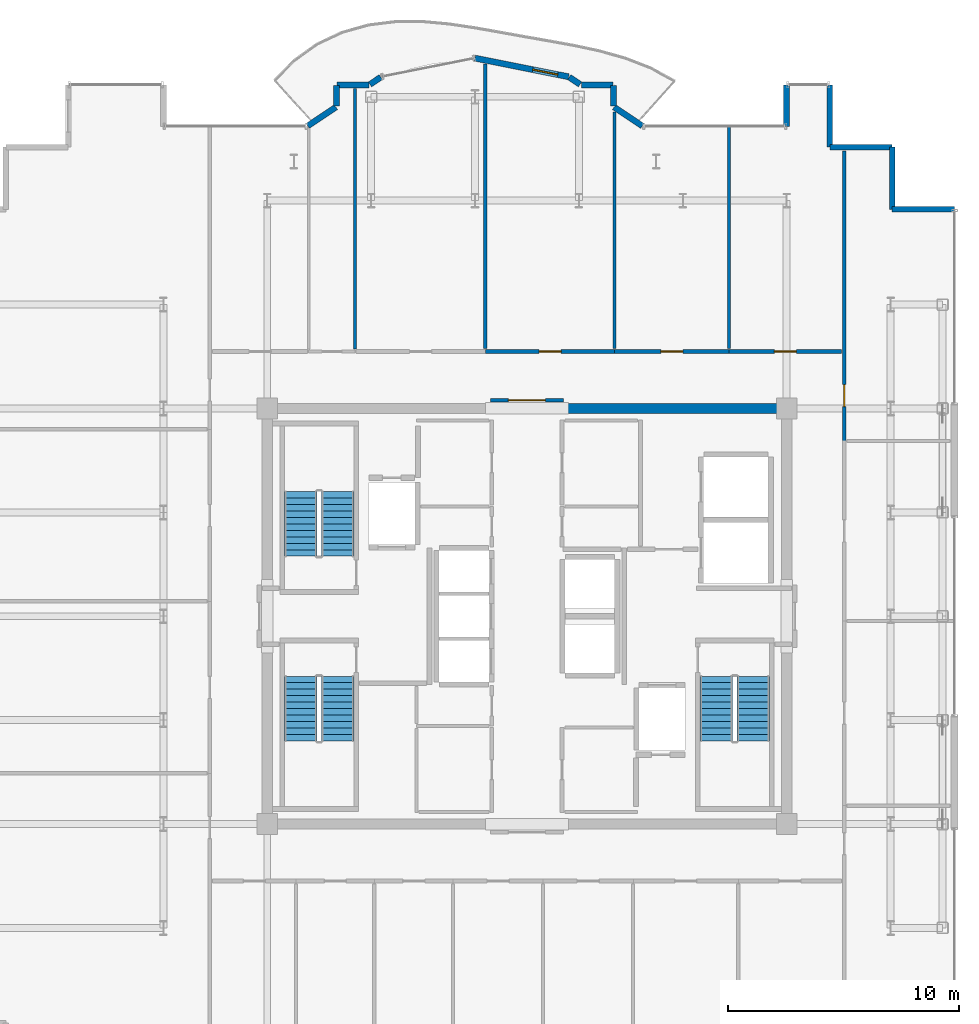
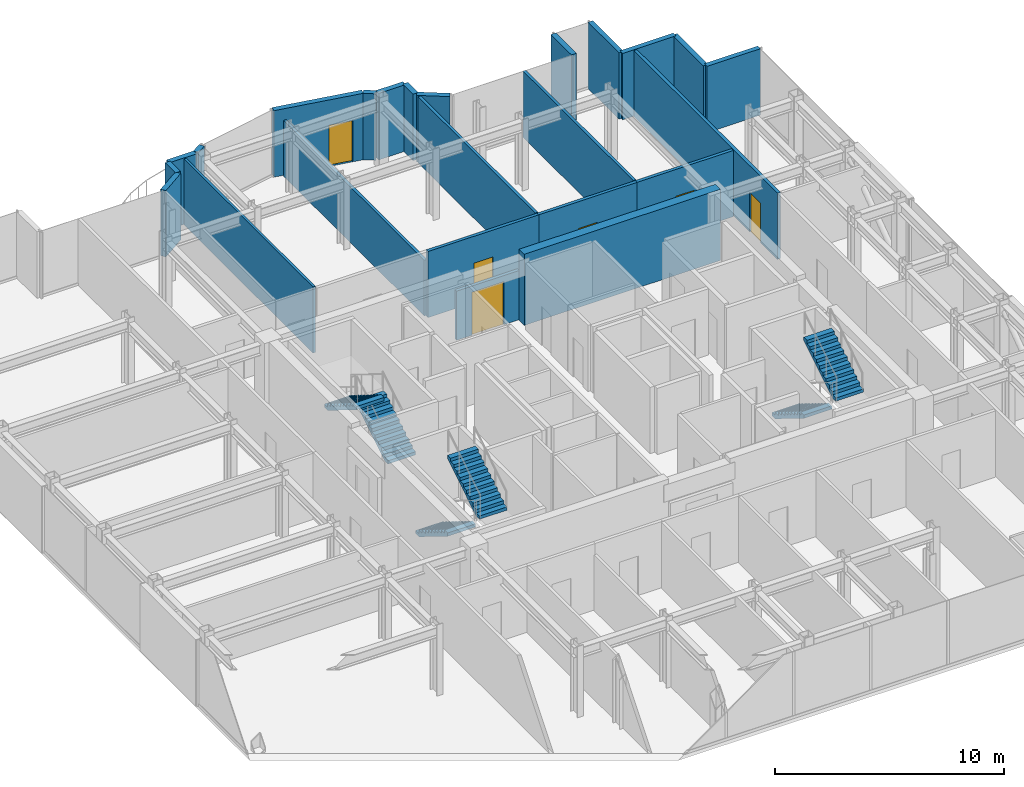
# One storey, part 15 of 16: 24 walls, 6 doors, 6 stair flights, 6 openings, 3 elements without a shape of their own.
"""IFC4 building model written with IfcOpenShell, lengths in metres."""

from ifc_helpers import new_model, si_unit, direction, frame, frame_2d, origin, place, context, subcontext, project, spatial, polyline, rectangle, outline, extrude, source, transform, mapped, material, layer, layer_set, type_object, element, fill, aggregate, save


model = new_model("IFC4")

# Units and contexts
model_context = context("Model", 3, precision=1e-05, world=origin(), true_north=direction((0.0, 1.0)))
body_context = subcontext(model_context, "Body", "Model", "MODEL_VIEW")
ifc_project = project(units=[si_unit("LENGTHUNIT", "METRE"), si_unit("AREAUNIT", "SQUARE_METRE"), si_unit("VOLUMEUNIT", "CUBIC_METRE"), si_unit("PLANEANGLEUNIT", "RADIAN"), si_unit("MASSUNIT", "GRAM", prefix="KILO")], contexts=[model_context])

# Site, building, storey
site_placement = place(None, origin())
site = spatial("IfcSite", under=ifc_project, at=site_placement, CompositionType="ELEMENT")
building_placement = place(site_placement, origin())
building = spatial("IfcBuilding", under=site, at=building_placement, Name="Nefas-Gora Pilgrimage Tower", CompositionType="ELEMENT")
storey_placement = place(building_placement, frame((0.0, 0.0, 310.199951171875)))
storey = spatial("IfcBuildingStorey", under=building, at=storey_placement, Name="L78", CompositionType="ELEMENT", Elevation=310.199951171875)

# Walls
ifc_material_1 = material(Name="Concrete C50/60", Category="concrete")
ifc_layer_1 = layer(ifc_material_1, 0.449951171875)
ifc_layer_set_1 = layer_set([ifc_layer_1], Name="Concrete C50/60")
wall_type_1 = type_object("IfcWallType", Name="SW-CORE-450", PredefinedType="SHEAR", material=ifc_layer_set_1)
shared_shape_1 = source(origin(), body_context, "Body", "SweptSolid", [
    extrude(rectangle(XDim=9.925048828125, YDim=0.449951171875, at=frame_2d((4.96240234375, 0.0))), origin(), (0.0, 0.0, 1.0), 3.800048828125),
])
wall_1_placement = place(storey_placement, frame((1.550048828125, 9.0, 0.0), z_axis=(0.0, 0.0, 1.0), x_axis=(1.0, 0.0, 0.0)))
element("IfcWall", 1, at=wall_1_placement, inside=storey, type_object=wall_type_1, Name="L78 Core Shear Wall N-East", PredefinedType="SHEAR", context=body_context, shape_type="MappedRepresentation", body=[
    mapped(shared_shape_1, transform((0.0, 0.0, 0.0), x_axis=(1.0, 0.0, 0.0), y_axis=(0.0, 1.0, 0.0), z_axis=(0.0, 0.0, 1.0), scale=1.0)),
])
ifc_material_2 = material(Name="Precast concrete C40/50", Category="concrete")
ifc_layer_2 = layer(ifc_material_2, 0.260009765625)
ifc_layer_set_2 = layer_set([ifc_layer_2], Name="Precast concrete C40/50")
wall_type_2 = type_object("IfcWallType", Name="EW-PORTAL-260", PredefinedType="SOLIDWALL", material=ifc_layer_set_2)
shared_shape_2 = source(origin(), body_context, "Body", "SweptSolid", [
    extrude(rectangle(XDim=1.800048828125, YDim=0.260009765625, at=frame_2d((0.89990234375, 0.0))), origin(), (0.0, 0.0, 1.0), 3.550048828125),
])
wall_2_placement = place(storey_placement, frame((11.25, 23.02001953125, 0.0), z_axis=(0.0, 0.0, 1.0), x_axis=(0.0, -1.0, 0.0)))
element("IfcWall", 2, at=wall_2_placement, inside=storey, type_object=wall_type_2, Name="L78 Lobe Shoulder Precast Spandrel Pier 10", PredefinedType="SOLIDWALL", context=body_context, shape_type="MappedRepresentation", body=[
    mapped(shared_shape_2, transform((0.0, 0.0, 0.0), x_axis=(1.0, 0.0, 0.0), y_axis=(0.0, 1.0, 0.0), z_axis=(0.0, 0.0, 1.0), scale=1.0)),
])
ifc_material_3 = material(Name="Precast concrete C45/55", Category="concrete")
ifc_layer_3 = layer(ifc_material_3, 0.239990234375)
ifc_layer_set_3 = layer_set([ifc_layer_3], Name="Precast concrete C45/55")
wall_type_3 = type_object("IfcWallType", Name="EW-SERR-240", PredefinedType="SHEAR", material=ifc_layer_set_3)
shared_shape_3 = source(origin(), body_context, "Body", "SweptSolid", [
    extrude(rectangle(XDim=2.699951171875, YDim=0.239990234375, at=frame_2d((1.35009765625, 0.0))), origin(), (0.0, 0.0, 1.0), 3.550048828125),
])
for number, where, z_axis, x_axis, name in (
    (3, (18.52001953125, 17.6201171875, 0.0), (0.0, 0.0, 1.0), (-1.0, 0.0, 0.0), "L78 Serrated Corner Shear Pier Wall 6"),
    (4, (15.820068359375, 17.6201171875, 0.0), (0.0, 0.0, 1.0), (0.0, 1.0, 0.0), "L78 Serrated Corner Shear Pier Wall 7"),
    (5, (15.820068359375, 20.320068359375, 0.0), (0.0, 0.0, 1.0), (-1.0, 0.0, 0.0), "L78 Serrated Corner Shear Pier Wall 8"),
    (6, (13.1201171875, 20.320068359375, 0.0), (0.0, 0.0, 1.0), (0.0, 1.0, 0.0), "L78 Serrated Corner Shear Pier Wall 9"),
):
    element("IfcWall", number, at=place(storey_placement, frame(where, z_axis=z_axis, x_axis=x_axis)), inside=storey, type_object=wall_type_3, Name=name, PredefinedType="SHEAR", context=body_context, shape_type="MappedRepresentation", body=[
        mapped(shared_shape_3, transform((0.0, 0.0, 0.0), x_axis=(1.0, 0.0, 0.0), y_axis=(0.0, 1.0, 0.0), z_axis=(0.0, 0.0, 1.0), scale=1.0)),
    ])
shared_shape_4 = source(origin(), body_context, "Body", "SweptSolid", [
    extrude(rectangle(XDim=1.468994140625, YDim=0.260009765625, at=frame_2d((0.734375, 0.0))), origin(), (0.0, 0.0, 1.0), 3.550048828125),
])
for number, where, z_axis, x_axis, name in (
    (7, (4.99462890625, 21.235595703125, 0.0), (0.0, 0.0, 1.0), (-0.831461760506, 0.555581983884, 0.0), "L78 Lobe Shoulder Precast Spandrel Pier 11"),
    (8, (-8.273193359375, 22.0517578125, 0.0), (0.0, 0.0, 1.0), (-0.831461760506, -0.555581983884, 0.0), "L78 Lobe Shoulder Precast Spandrel Pier 19"),
):
    element("IfcWall", number, at=place(storey_placement, frame(where, z_axis=z_axis, x_axis=x_axis)), inside=storey, type_object=wall_type_2, Name=name, PredefinedType="SOLIDWALL", context=body_context, shape_type="MappedRepresentation", body=[
        mapped(shared_shape_4, transform((0.0, 0.0, 0.0), x_axis=(1.0, 0.0, 0.0), y_axis=(0.0, 1.0, 0.0), z_axis=(0.0, 0.0, 1.0), scale=1.0)),
    ])
shared_shape_5 = source(origin(), body_context, "Body", "SweptSolid", [
    extrude(rectangle(XDim=0.896728515625, YDim=0.260009765625, at=frame_2d((0.4482421875, 0.0))), origin(), (0.0, 0.0, 1.0), 3.550048828125),
])
for number, where, z_axis, x_axis, name in (
    (9, (3.75, 22.09521484375, 0.0), (0.0, 0.0, 1.0), (0.0, 1.0, 0.0), "L78 Lobe Shoulder Precast Spandrel Pier 12"),
    (10, (-8.25, 22.991943359375, 0.0), (0.0, 0.0, 1.0), (0.0, -1.0, 0.0), "L78 Lobe Shoulder Precast Spandrel Pier 18"),
):
    element("IfcWall", number, at=place(storey_placement, frame(where, z_axis=z_axis, x_axis=x_axis)), inside=storey, type_object=wall_type_2, Name=name, PredefinedType="SOLIDWALL", context=body_context, shape_type="MappedRepresentation", body=[
        mapped(shared_shape_5, transform((0.0, 0.0, 0.0), x_axis=(1.0, 0.0, 0.0), y_axis=(0.0, 1.0, 0.0), z_axis=(0.0, 0.0, 1.0), scale=1.0)),
    ])
shared_shape_6 = source(origin(), body_context, "Body", "SweptSolid", [
    extrude(rectangle(XDim=1.369873046875, YDim=0.260009765625, at=frame_2d((0.68505859375, 0.0))), origin(), (0.0, 0.0, 1.0), 3.550048828125),
])
for number, where, z_axis, x_axis, name in (
    (11, (3.721923828125, 23.02001953125, 0.0), (0.0, 0.0, 1.0), (-1.0, 0.0, 0.0), "L78 Lobe Shoulder Precast Spandrel Pier 13"),
    (12, (-6.85205078125, 23.02001953125, 0.0), (0.0, 0.0, 1.0), (-1.0, 0.0, 0.0), "L78 Lobe Shoulder Precast Spandrel Pier 17"),
):
    element("IfcWall", number, at=place(storey_placement, frame(where, z_axis=z_axis, x_axis=x_axis)), inside=storey, type_object=wall_type_2, Name=name, PredefinedType="SOLIDWALL", context=body_context, shape_type="MappedRepresentation", body=[
        mapped(shared_shape_6, transform((0.0, 0.0, 0.0), x_axis=(1.0, 0.0, 0.0), y_axis=(0.0, 1.0, 0.0), z_axis=(0.0, 0.0, 1.0), scale=1.0)),
    ])
shared_shape_7 = source(origin(), body_context, "Body", "SweptSolid", [
    extrude(rectangle(XDim=0.5654296875, YDim=0.260009765625, at=frame_2d((0.28271484375, 0.0))), origin(), (0.0, 0.0, 1.0), 3.550048828125),
])
for number, where, z_axis, x_axis, name in (
    (13, (2.30078125, 23.03564453125, 0.0), (0.0, 0.0, 1.0), (-0.831651492666, 0.555297933317, 0.0), "L78 Lobe Shoulder Precast Spandrel Pier 14"),
    (14, (-6.33056640625, 23.349609375, 0.0), (0.0, 0.0, 1.0), (-0.831651492666, -0.555297933317, 0.0), "L78 Lobe Shoulder Precast Spandrel Pier 16"),
):
    element("IfcWall", number, at=place(storey_placement, frame(where, z_axis=z_axis, x_axis=x_axis)), inside=storey, type_object=wall_type_2, Name=name, PredefinedType="SOLIDWALL", context=body_context, shape_type="MappedRepresentation", body=[
        mapped(shared_shape_7, transform((0.0, 0.0, 0.0), x_axis=(1.0, 0.0, 0.0), y_axis=(0.0, 1.0, 0.0), z_axis=(0.0, 0.0, 1.0), scale=1.0)),
    ])

# Wall, opening, door
shared_shape_8 = source(origin(), body_context, "Body", "SweptSolid", [
    extrude(rectangle(XDim=4.136962890625, YDim=0.260009765625, at=frame_2d((2.068359375, 0.0))), origin(), (0.0, 0.0, 1.0), 3.550048828125),
])
wall_3_placement = place(storey_placement, frame((1.807373046875, 23.365234375, 0.0), z_axis=(0.0, 0.0, 1.0), x_axis=(-0.980782170794, 0.195105954428, 0.0)))
wall_3 = element("IfcWall", 15, at=wall_3_placement, inside=storey, type_object=wall_type_2, Name="L78 Insulated Terrace Portal Wall 15", PredefinedType="SOLIDWALL", context=body_context, shape_type="MappedRepresentation", body=[
    mapped(shared_shape_8, transform((0.0, 0.0, 0.0), x_axis=(1.0, 0.0, 0.0), y_axis=(0.0, 1.0, 0.0), z_axis=(0.0, 0.0, 1.0), scale=1.0)),
])
opening_1_placement = place(wall_3_placement, frame((0.48779296875, 0.0, 0.0)))
opening_1 = element("IfcOpeningElement", 16, at=opening_1_placement, cuts=wall_3, Name="Opening ED-B1", PredefinedType="OPENING", context=body_context, shape_type="SweptSolid", body=[
    extrude(rectangle(XDim=1.10009765625, YDim=2.199951171875, at=frame_2d((0.550048828125, 1.10009765625))), frame((0.0, 0.139892578125, 0.0), z_axis=(0.0, -1.0, 0.0), x_axis=(1.0, 0.0, 0.0)), (0.0, 0.0, 1.0), 0.280029296875),
])
ifc_material_4 = material(Name="Thermally broken glazed aluminium balcony door", Category="aluminium")
door_type_1 = type_object("IfcDoorType", Name="DR-EXT-BAL-1100", OperationType="NOTDEFINED", PredefinedType="DOOR", material=ifc_material_4)
shared_shape_9 = source(origin(), body_context, "Body", "SweptSolid", [
    extrude(rectangle(XDim=1.10009765625, YDim=2.199951171875, at=frame_2d((0.550048828125, 1.10009765625))), frame((0.0, 0.02490234375, 0.0), z_axis=(0.0, -1.0, 0.0), x_axis=(1.0, 0.0, 0.0)), (0.0, 0.0, 1.0), 0.050048828125),
])
door_1_placement = place(opening_1_placement, origin())
door_1 = element("IfcDoor", 17, at=door_1_placement, inside=storey, type_object=door_type_1, Name="L78 Exterior Door (L78 N Lobe Wave Balcony)", OperationType="SINGLE_SWING_RIGHT", OverallHeight=2.199951171875, OverallWidth=1.10009765625, PredefinedType="DOOR", context=body_context, shape_type="MappedRepresentation", body=[
    mapped(shared_shape_9, transform((0.0, 0.0, 0.0), x_axis=(1.0, 0.0, 0.0), y_axis=(0.0, 1.0, 0.0), z_axis=(0.0, 0.0, 1.0), scale=1.0)),
])
fill(opening_1, door_1)

# Walls
ifc_material_5 = material(Name="Moisture-resistant fire-rated gypsum partition")
ifc_layer_4 = layer(ifc_material_5, 0.1201171875)
ifc_layer_set_4 = layer_set([ifc_layer_4], Name="Moisture-resistant fire-rated gypsum partition")
wall_type_4 = type_object("IfcWallType", Name="IW-WET-120", PredefinedType="PLUMBINGWALL", material=ifc_layer_set_4)
shared_shape_10 = source(origin(), body_context, "Body", "SweptSolid", [
    extrude(rectangle(XDim=11.280029296875, YDim=0.1201171875, at=frame_2d((5.64013671875, 0.0))), origin(), (0.0, 0.0, 1.0), 3.53515625),
])
wall_4_placement = place(storey_placement, frame((-7.449951171875, 11.570068359375, 0.0), z_axis=(0.0, 0.0, 1.0), x_axis=(0.0, 1.0, 0.0)))
element("IfcWall", 18, at=wall_4_placement, inside=storey, type_object=wall_type_4, Name="L78 Accessible Unisex WC Partition Wall 41", PredefinedType="PLUMBINGWALL", context=body_context, shape_type="MappedRepresentation", body=[
    mapped(shared_shape_10, transform((0.0, 0.0, 0.0), x_axis=(1.0, 0.0, 0.0), y_axis=(0.0, 1.0, 0.0), z_axis=(0.0, 0.0, 1.0), scale=1.0)),
])
ifc_material_6 = material(Name="Gypsum twin-stud partition")
ifc_layer_5 = layer(ifc_material_6, 0.139892578125)
ifc_layer_set_5 = layer_set([ifc_layer_5], Name="Gypsum twin-stud partition")
wall_type_5 = type_object("IfcWallType", Name="IW-UNIT-140", PredefinedType="PARTITIONING", material=ifc_layer_set_5)
shared_shape_11 = source(origin(), body_context, "Body", "SweptSolid", [
    extrude(rectangle(XDim=9.64990234375, YDim=0.139892578125, at=frame_2d((4.824951171875, 0.0))), origin(), (0.0, 0.0, 1.0), 3.53515625),
])
wall_5_placement = place(storey_placement, frame((8.75, 11.590087890625, 0.0), z_axis=(0.0, 0.0, 1.0), x_axis=(0.0, 1.0, 0.0)))
element("IfcWall", 19, at=wall_5_placement, inside=storey, type_object=wall_type_5, Name="L78 Pilgrim Contemplative Lounge Partition Wall 63", PredefinedType="PARTITIONING", context=body_context, shape_type="MappedRepresentation", body=[
    mapped(shared_shape_11, transform((0.0, 0.0, 0.0), x_axis=(1.0, 0.0, 0.0), y_axis=(0.0, 1.0, 0.0), z_axis=(0.0, 0.0, 1.0), scale=1.0)),
])

# Wall, opening, door
ifc_material_7 = material(Name="Gypsum acoustic stud partition")
ifc_layer_6 = layer(ifc_material_7, 0.159912109375)
ifc_layer_set_6 = layer_set([ifc_layer_6], Name="Gypsum acoustic stud partition")
wall_type_6 = type_object("IfcWallType", Name="IW-CORR-160", PredefinedType="PARTITIONING", material=ifc_layer_set_6)
shared_shape_12 = source(origin(), body_context, "Body", "SweptSolid", [
    extrude(rectangle(XDim=3.16015625, YDim=0.159912109375, at=frame_2d((1.580078125, 0.0))), origin(), (0.0, 0.0, 1.0), 2.625),
])
wall_6_placement = place(storey_placement, frame((-1.580078125, 9.35009765625, 0.0), z_axis=(0.0, 0.0, 1.0), x_axis=(1.0, 0.0, 0.0)))
wall_6 = element("IfcWall", 20, at=wall_6_placement, inside=storey, type_object=wall_type_6, Name="L78 Central Lift Lobby North Portal Wall 16", PredefinedType="PARTITIONING", context=body_context, shape_type="MappedRepresentation", body=[
    mapped(shared_shape_12, transform((0.0, 0.0, 0.0), x_axis=(1.0, 0.0, 0.0), y_axis=(0.0, 1.0, 0.0), z_axis=(0.0, 0.0, 1.0), scale=1.0)),
])
opening_2_placement = place(wall_6_placement, frame((0.780029296875, 0.0, 0.0)))
opening_2 = element("IfcOpeningElement", 21, at=opening_2_placement, cuts=wall_6, Name="Opening ID-HL1", PredefinedType="OPENING", context=body_context, shape_type="SweptSolid", body=[
    extrude(rectangle(XDim=1.60009765625, YDim=2.300048828125, at=frame_2d((0.800048828125, 1.14990234375))), frame((0.0, 0.08984375, 0.0), z_axis=(0.0, -1.0, 0.0), x_axis=(1.0, 0.0, 0.0)), (0.0, 0.0, 1.0), 0.179931640625),
])
ifc_material_8 = material(Name="Double acoustic timber assembly hall door", Category="wood")
door_type_2 = type_object("IfcDoorType", Name="DR-INT-HALL-1600", OperationType="DOUBLE_DOOR_SINGLE_SWING", PredefinedType="DOOR", material=ifc_material_8)
shared_shape_13 = source(origin(), body_context, "Body", "SweptSolid", [
    extrude(rectangle(XDim=1.60009765625, YDim=2.300048828125, at=frame_2d((0.800048828125, 1.14990234375))), frame((0.0, 0.02490234375, 0.0), z_axis=(0.0, -1.0, 0.0), x_axis=(1.0, 0.0, 0.0)), (0.0, 0.0, 1.0), 0.050048828125),
])
door_2_placement = place(opening_2_placement, origin())
door_2 = element("IfcDoor", 22, at=door_2_placement, inside=storey, type_object=door_type_2, Name="L78 Central Lift Lobby North Portal Door 6", OperationType="DOUBLE_DOOR_SINGLE_SWING", OverallHeight=2.300048828125, OverallWidth=1.60009765625, PredefinedType="DOOR", context=body_context, shape_type="MappedRepresentation", body=[
    mapped(shared_shape_13, transform((0.0, 0.0, 0.0), x_axis=(1.0, 0.0, 0.0), y_axis=(0.0, 1.0, 0.0), z_axis=(0.0, 0.0, 1.0), scale=1.0)),
])
fill(opening_2, door_2)

shared_shape_14 = source(origin(), body_context, "Body", "SweptSolid", [
    extrude(rectangle(XDim=12.56494140625, YDim=0.159912109375, at=frame_2d((6.282470703125, 0.0))), origin(), (0.0, 0.0, 1.0), 3.53515625),
])
wall_7_placement = place(storey_placement, frame((13.739990234375, 7.594970703125, 0.0), z_axis=(0.0, 0.0, 1.0), x_axis=(0.0, 1.0, 0.0)))
wall_7 = element("IfcWall", 23, at=wall_7_placement, inside=storey, type_object=wall_type_6, Name="L78 Pilgrim Contemplative Lounge Partition Wall 56", PredefinedType="PARTITIONING", context=body_context, shape_type="MappedRepresentation", body=[
    mapped(shared_shape_14, transform((0.0, 0.0, 0.0), x_axis=(1.0, 0.0, 0.0), y_axis=(0.0, 1.0, 0.0), z_axis=(0.0, 0.0, 1.0), scale=1.0)),
])
opening_3_placement = place(wall_7_placement, frame((1.482421875, 0.0, 0.0)))
opening_3 = element("IfcOpeningElement", 24, at=opening_3_placement, cuts=wall_7, Name="Opening ID-GR1", PredefinedType="OPENING", context=body_context, shape_type="SweptSolid", body=[
    extrude(rectangle(XDim=0.949951171875, YDim=2.10009765625, at=frame_2d((0.47509765625, 1.050048828125))), frame((0.0, 0.08984375, 0.0), z_axis=(0.0, -1.0, 0.0), x_axis=(1.0, 0.0, 0.0)), (0.0, 0.0, 1.0), 0.179931640625),
])
ifc_material_9 = material(Name="Solid core oak fire-rated guest entrance door")
door_type_3 = type_object("IfcDoorType", Name="DR-INT-GUEST-950", OperationType="NOTDEFINED", PredefinedType="DOOR", material=ifc_material_9)
shared_shape_15 = source(origin(), body_context, "Body", "SweptSolid", [
    extrude(rectangle(XDim=0.949951171875, YDim=2.10009765625, at=frame_2d((0.47509765625, 1.050048828125))), frame((0.0, 0.02490234375, 0.0), z_axis=(0.0, -1.0, 0.0), x_axis=(1.0, 0.0, 0.0)), (0.0, 0.0, 1.0), 0.050048828125),
])
door_3_placement = place(opening_3_placement, origin())
door_3 = element("IfcDoor", 25, at=door_3_placement, inside=storey, type_object=door_type_3, Name="L78 Pilgrim Contemplative Lounge Door 24", OperationType="SINGLE_SWING_LEFT", OverallHeight=2.10009765625, OverallWidth=0.949951171875, PredefinedType="DOOR", context=body_context, shape_type="MappedRepresentation", body=[
    mapped(shared_shape_15, transform((0.0, 0.0, 0.0), x_axis=(1.0, 0.0, 0.0), y_axis=(0.0, 1.0, 0.0), z_axis=(0.0, 0.0, 1.0), scale=1.0)),
])
fill(opening_3, door_3)

shared_shape_16 = source(origin(), body_context, "Body", "SweptSolid", [
    extrude(rectangle(XDim=5.60498046875, YDim=0.159912109375, at=frame_2d((2.802490234375, 0.0))), origin(), (0.0, 0.0, 1.0), 3.53515625),
])
wall_8_placement = place(storey_placement, frame((-1.800048828125, 11.469970703125, 0.0), z_axis=(0.0, 0.0, 1.0), x_axis=(1.0, 0.0, 0.0)))
wall_8 = element("IfcWall", 26, at=wall_8_placement, inside=storey, type_object=wall_type_6, Name="L78 Pilgrim Contemplative Lounge Partition Wall 60", PredefinedType="PARTITIONING", context=body_context, shape_type="MappedRepresentation", body=[
    mapped(shared_shape_16, transform((0.0, 0.0, 0.0), x_axis=(1.0, 0.0, 0.0), y_axis=(0.0, 1.0, 0.0), z_axis=(0.0, 0.0, 1.0), scale=1.0)),
])
opening_4_placement = place(wall_8_placement, frame((2.327392578125, 0.0, 0.0)))
opening_4 = element("IfcOpeningElement", 27, at=opening_4_placement, cuts=wall_8, Name="Opening ID-GR1", PredefinedType="OPENING", context=body_context, shape_type="SweptSolid", body=[
    extrude(rectangle(XDim=0.949951171875, YDim=2.10009765625, at=frame_2d((0.47509765625, 1.050048828125))), frame((0.0, 0.08984375, 0.0), z_axis=(0.0, -1.0, 0.0), x_axis=(1.0, 0.0, 0.0)), (0.0, 0.0, 1.0), 0.179931640625),
])
door_4_placement = place(opening_4_placement, origin())
door_4 = element("IfcDoor", 28, at=door_4_placement, inside=storey, type_object=door_type_3, Name="L78 Pilgrim Contemplative Lounge Door 27", OperationType="SINGLE_SWING_RIGHT", OverallHeight=2.10009765625, OverallWidth=0.949951171875, PredefinedType="DOOR", context=body_context, shape_type="MappedRepresentation", body=[
    mapped(shared_shape_15, transform((0.0, 0.0, 0.0), x_axis=(1.0, 0.0, 0.0), y_axis=(0.0, 1.0, 0.0), z_axis=(0.0, 0.0, 1.0), scale=1.0)),
])
fill(opening_4, door_4)

# Walls
shared_shape_17 = source(origin(), body_context, "Body", "SweptSolid", [
    extrude(rectangle(XDim=12.32177734375, YDim=0.139892578125, at=frame_2d((6.160888671875, 0.0))), origin(), (0.0, 0.0, 1.0), 2.97509765625),
])
wall_9_placement = place(storey_placement, frame((-1.81005859375, 11.590087890625, 0.0), z_axis=(0.0, 0.0, 1.0), x_axis=(0.0, 1.0, 0.0)))
element("IfcWall", 29, at=wall_9_placement, inside=storey, type_object=wall_type_5, Name="L78 Pilgrim Contemplative Lounge Partition Wall 59", PredefinedType="PARTITIONING", context=body_context, shape_type="MappedRepresentation", body=[
    mapped(shared_shape_17, transform((0.0, 0.0, 0.0), x_axis=(1.0, 0.0, 0.0), y_axis=(0.0, 1.0, 0.0), z_axis=(0.0, 0.0, 1.0), scale=1.0)),
])
shared_shape_18 = source(origin(), body_context, "Body", "SweptSolid", [
    extrude(rectangle(XDim=10.2451171875, YDim=0.139892578125, at=frame_2d((5.12255859375, 0.0))), origin(), (0.0, 0.0, 1.0), 3.53515625),
])
wall_10_placement = place(storey_placement, frame((3.794921875, 11.590087890625, 0.0), z_axis=(0.0, 0.0, 1.0), x_axis=(0.0, 1.0, 0.0)))
element("IfcWall", 30, at=wall_10_placement, inside=storey, type_object=wall_type_5, Name="L78 Pilgrim Contemplative Lounge Partition Wall 61", PredefinedType="PARTITIONING", context=body_context, shape_type="MappedRepresentation", body=[
    mapped(shared_shape_18, transform((0.0, 0.0, 0.0), x_axis=(1.0, 0.0, 0.0), y_axis=(0.0, 1.0, 0.0), z_axis=(0.0, 0.0, 1.0), scale=1.0)),
])

# Wall, opening, door
shared_shape_19 = source(origin(), body_context, "Body", "SweptSolid", [
    extrude(rectangle(XDim=4.965087890625, YDim=0.159912109375, at=frame_2d((2.482421875, 0.0))), origin(), (0.0, 0.0, 1.0), 3.53515625),
])
wall_11_placement = place(storey_placement, frame((3.794921875, 11.469970703125, 0.0), z_axis=(0.0, 0.0, 1.0), x_axis=(1.0, 0.0, 0.0)))
wall_11 = element("IfcWall", 31, at=wall_11_placement, inside=storey, type_object=wall_type_6, Name="L78 Pilgrim Contemplative Lounge Partition Wall 62", PredefinedType="PARTITIONING", context=body_context, shape_type="MappedRepresentation", body=[
    mapped(shared_shape_19, transform((0.0, 0.0, 0.0), x_axis=(1.0, 0.0, 0.0), y_axis=(0.0, 1.0, 0.0), z_axis=(0.0, 0.0, 1.0), scale=1.0)),
])
opening_5_placement = place(wall_11_placement, frame((2.007568359375, 0.0, 0.0)))
opening_5 = element("IfcOpeningElement", 32, at=opening_5_placement, cuts=wall_11, Name="Opening ID-GR1", PredefinedType="OPENING", context=body_context, shape_type="SweptSolid", body=[
    extrude(rectangle(XDim=0.949951171875, YDim=2.10009765625, at=frame_2d((0.47509765625, 1.050048828125))), frame((0.0, 0.08984375, 0.0), z_axis=(0.0, -1.0, 0.0), x_axis=(1.0, 0.0, 0.0)), (0.0, 0.0, 1.0), 0.179931640625),
])
door_5_placement = place(opening_5_placement, origin())
door_5 = element("IfcDoor", 33, at=door_5_placement, inside=storey, type_object=door_type_3, Name="L78 Pilgrim Contemplative Lounge Door 28", OperationType="SINGLE_SWING_LEFT", OverallHeight=2.10009765625, OverallWidth=0.949951171875, PredefinedType="DOOR", context=body_context, shape_type="MappedRepresentation", body=[
    mapped(shared_shape_15, transform((0.0, 0.0, 0.0), x_axis=(1.0, 0.0, 0.0), y_axis=(0.0, 1.0, 0.0), z_axis=(0.0, 0.0, 1.0), scale=1.0)),
])
fill(opening_5, door_5)

shared_shape_20 = source(origin(), body_context, "Body", "SweptSolid", [
    extrude(rectangle(XDim=4.860107421875, YDim=0.159912109375, at=frame_2d((2.43017578125, 0.0))), origin(), (0.0, 0.0, 1.0), 3.53515625),
])
wall_12_placement = place(storey_placement, frame((8.760009765625, 11.469970703125, 0.0), z_axis=(0.0, 0.0, 1.0), x_axis=(1.0, 0.0, 0.0)))
wall_12 = element("IfcWall", 34, at=wall_12_placement, inside=storey, type_object=wall_type_6, Name="L78 Pilgrim Contemplative Lounge Partition Wall 64", PredefinedType="PARTITIONING", context=body_context, shape_type="MappedRepresentation", body=[
    mapped(shared_shape_20, transform((0.0, 0.0, 0.0), x_axis=(1.0, 0.0, 0.0), y_axis=(0.0, 1.0, 0.0), z_axis=(0.0, 0.0, 1.0), scale=1.0)),
])
opening_6_placement = place(wall_12_placement, frame((1.955078125, 0.0, 0.0)))
opening_6 = element("IfcOpeningElement", 35, at=opening_6_placement, cuts=wall_12, Name="Opening ID-GR1", PredefinedType="OPENING", context=body_context, shape_type="SweptSolid", body=[
    extrude(rectangle(XDim=0.949951171875, YDim=2.10009765625, at=frame_2d((0.47509765625, 1.050048828125))), frame((0.0, 0.08984375, 0.0), z_axis=(0.0, -1.0, 0.0), x_axis=(1.0, 0.0, 0.0)), (0.0, 0.0, 1.0), 0.179931640625),
])
door_6_placement = place(opening_6_placement, origin())
door_6 = element("IfcDoor", 36, at=door_6_placement, inside=storey, type_object=door_type_3, Name="L78 Pilgrim Contemplative Lounge Door 29", OperationType="SINGLE_SWING_RIGHT", OverallHeight=2.10009765625, OverallWidth=0.949951171875, PredefinedType="DOOR", context=body_context, shape_type="MappedRepresentation", body=[
    mapped(shared_shape_15, transform((0.0, 0.0, 0.0), x_axis=(1.0, 0.0, 0.0), y_axis=(0.0, 1.0, 0.0), z_axis=(0.0, 0.0, 1.0), scale=1.0)),
])
fill(opening_6, door_6)

# Stair, stair flights
ifc_material_10 = material(Name="Concrete C45/55", Category="concrete")
stair_type = type_object("IfcStairType", Name="STR-1400-R1727", PredefinedType="HALF_TURN_STAIR", material=ifc_material_10)
stair_1_placement = place(storey_placement, origin())
stair_1 = element("IfcStair", 37, at=stair_1_placement, inside=storey, type_object=stair_type, Name="L78 Pressurised Tower Exit Stair ST-01", PredefinedType="HALF_TURN_STAIR")
stair_flight_type = type_object("IfcStairFlightType", Name="STF-1400-R1727", PredefinedType="STRAIGHT", material=ifc_material_10)
shared_shape_21 = source(origin(), body_context, "Body", "SweptSolid", [
    extrude(outline(polyline([(0.0, 0.0), (0.0, 0.172607421875), (0.280029296875, 0.172607421875), (0.280029296875, 0.345458984375), (0.56005859375, 0.345458984375), (0.56005859375, 0.51806640625), (0.840087890625, 0.51806640625), (0.840087890625, 0.69091796875), (1.1201171875, 0.69091796875), (1.1201171875, 0.863525390625), (1.39990234375, 0.863525390625), (1.39990234375, 1.036376953125), (1.679931640625, 1.036376953125), (1.679931640625, 1.208984375), (1.9599609375, 1.208984375), (1.9599609375, 1.3818359375), (2.239990234375, 1.3818359375), (2.239990234375, 1.554443359375), (2.52001953125, 1.554443359375), (2.52001953125, 1.727294921875), (2.800048828125, 1.727294921875), (2.800048828125, 1.89990234375), (2.800048828125, 1.551025390625), (0.285400390625, 0.0), (0.0, 0.0)])), frame((0.0, 0.699951171875, 0.0), z_axis=(0.0, -1.0, 0.0), x_axis=(1.0, 0.0, 0.0)), (0.0, 0.0, 1.0), 1.39990234375),
])
stair_flight_1_placement = place(storey_placement, frame((-8.199951171875, 2.60009765625, 0.0), z_axis=(0.0, 0.0, 1.0), x_axis=(0.0, 1.0, 0.0)))
stair_flight_1 = element("IfcStairFlight", 38, at=stair_flight_1_placement, type_object=stair_flight_type, Name="ST-01 flight 1", NumberOfRisers=11, NumberOfTreads=10, PredefinedType="STRAIGHT", RiserHeight=0.172727273, TreadLength=0.28, context=body_context, shape_type="MappedRepresentation", body=[
    mapped(shared_shape_21, transform((0.0, 0.0, 0.0), x_axis=(1.0, 0.0, 0.0), y_axis=(0.0, 1.0, 0.0), z_axis=(0.0, 0.0, 1.0), scale=1.0)),
])
stair_flight_2_placement = place(storey_placement, frame((-9.800048828125, 5.39990234375, 1.900146484375), z_axis=(0.0, 0.0, 1.0), x_axis=(0.0, -1.0, 0.0)))
stair_flight_2 = element("IfcStairFlight", 39, at=stair_flight_2_placement, type_object=stair_flight_type, Name="ST-01 flight 2", NumberOfRisers=11, NumberOfTreads=10, PredefinedType="STRAIGHT", RiserHeight=0.172727273, TreadLength=0.28, context=body_context, shape_type="MappedRepresentation", body=[
    mapped(shared_shape_21, transform((0.0, 0.0, 0.0), x_axis=(1.0, 0.0, 0.0), y_axis=(0.0, 1.0, 0.0), z_axis=(0.0, 0.0, 1.0), scale=1.0)),
])
aggregate(stair_1, [stair_flight_1, stair_flight_2])

stair_2_placement = place(storey_placement, origin())
stair_2 = element("IfcStair", 40, at=stair_2_placement, inside=storey, type_object=stair_type, Name="L78 Pressurised Tower Exit Stair ST-02", PredefinedType="HALF_TURN_STAIR")
stair_flight_3_placement = place(storey_placement, frame((8.199951171875, -2.60009765625, 0.0), z_axis=(0.0, 0.0, 1.0), x_axis=(0.0, -1.0, 0.0)))
stair_flight_3 = element("IfcStairFlight", 41, at=stair_flight_3_placement, type_object=stair_flight_type, Name="ST-02 flight 1", NumberOfRisers=11, NumberOfTreads=10, PredefinedType="STRAIGHT", RiserHeight=0.172727273, TreadLength=0.28, context=body_context, shape_type="MappedRepresentation", body=[
    mapped(shared_shape_21, transform((0.0, 0.0, 0.0), x_axis=(1.0, 0.0, 0.0), y_axis=(0.0, 1.0, 0.0), z_axis=(0.0, 0.0, 1.0), scale=1.0)),
])
stair_flight_4_placement = place(storey_placement, frame((9.800048828125, -5.39990234375, 1.900146484375), z_axis=(0.0, 0.0, 1.0), x_axis=(0.0, 1.0, 0.0)))
stair_flight_4 = element("IfcStairFlight", 42, at=stair_flight_4_placement, type_object=stair_flight_type, Name="ST-02 flight 2", NumberOfRisers=11, NumberOfTreads=10, PredefinedType="STRAIGHT", RiserHeight=0.172727273, TreadLength=0.28, context=body_context, shape_type="MappedRepresentation", body=[
    mapped(shared_shape_21, transform((0.0, 0.0, 0.0), x_axis=(1.0, 0.0, 0.0), y_axis=(0.0, 1.0, 0.0), z_axis=(0.0, 0.0, 1.0), scale=1.0)),
])
aggregate(stair_2, [stair_flight_3, stair_flight_4])

stair_3_placement = place(storey_placement, origin())
stair_3 = element("IfcStair", 43, at=stair_3_placement, inside=storey, type_object=stair_type, Name="L78 Pressurised Tower Exit Stair ST-03", PredefinedType="HALF_TURN_STAIR")
stair_flight_5_placement = place(storey_placement, frame((-9.800048828125, -2.60009765625, 0.0), z_axis=(0.0, 0.0, 1.0), x_axis=(0.0, -1.0, 0.0)))
stair_flight_5 = element("IfcStairFlight", 44, at=stair_flight_5_placement, type_object=stair_flight_type, Name="ST-03 flight 1", NumberOfRisers=11, NumberOfTreads=10, PredefinedType="STRAIGHT", RiserHeight=0.172727273, TreadLength=0.28, context=body_context, shape_type="MappedRepresentation", body=[
    mapped(shared_shape_21, transform((0.0, 0.0, 0.0), x_axis=(1.0, 0.0, 0.0), y_axis=(0.0, 1.0, 0.0), z_axis=(0.0, 0.0, 1.0), scale=1.0)),
])
stair_flight_6_placement = place(storey_placement, frame((-8.199951171875, -5.39990234375, 1.900146484375), z_axis=(0.0, 0.0, 1.0), x_axis=(0.0, 1.0, 0.0)))
stair_flight_6 = element("IfcStairFlight", 45, at=stair_flight_6_placement, type_object=stair_flight_type, Name="ST-03 flight 2", NumberOfRisers=11, NumberOfTreads=10, PredefinedType="STRAIGHT", RiserHeight=0.172727273, TreadLength=0.28, context=body_context, shape_type="MappedRepresentation", body=[
    mapped(shared_shape_21, transform((0.0, 0.0, 0.0), x_axis=(1.0, 0.0, 0.0), y_axis=(0.0, 1.0, 0.0), z_axis=(0.0, 0.0, 1.0), scale=1.0)),
])
aggregate(stair_3, [stair_flight_5, stair_flight_6])

save(model, "model.ifc")
